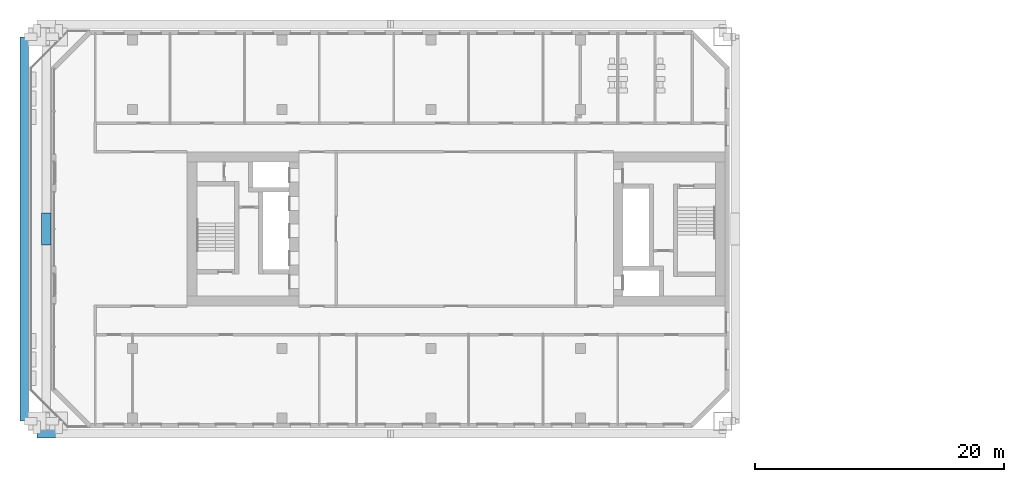
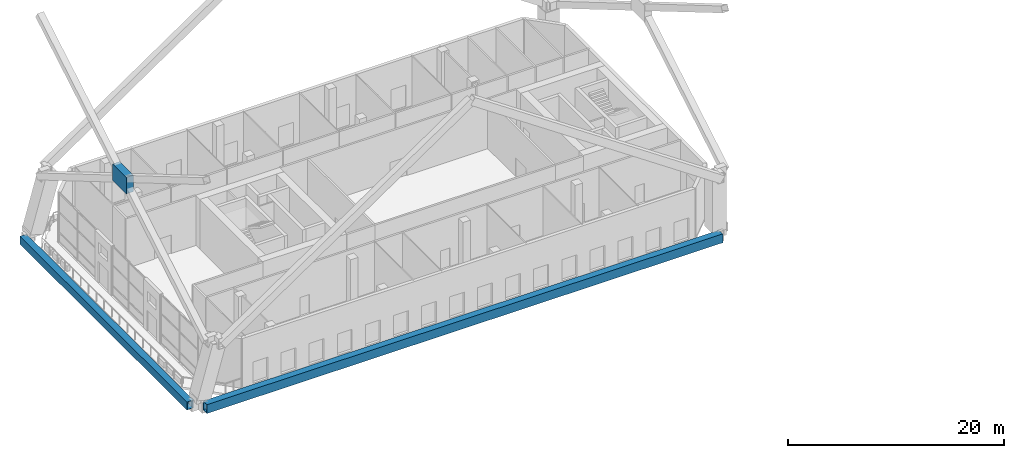
# One storey, part 3 of 20: 2 beams, 1 member.
"""IFC4 building model written with IfcOpenShell, lengths in metres."""

from ifc_helpers import new_model, si_unit, direction, frame, origin, origin_2d, place, context, subcontext, project, spatial, rectangle, hollow_rectangle, extrude, material, material_profile, profile_set, type_object, element, save


model = new_model("IFC4")

# Units and contexts
model_context = context("Model", 3, precision=1e-05, world=origin(), true_north=direction((0.0, 1.0)))
body_context = subcontext(model_context, "Body", "Model", "MODEL_VIEW")
ifc_project = project(units=[si_unit("LENGTHUNIT", "METRE"), si_unit("AREAUNIT", "SQUARE_METRE"), si_unit("VOLUMEUNIT", "CUBIC_METRE"), si_unit("PLANEANGLEUNIT", "RADIAN"), si_unit("MASSUNIT", "GRAM", prefix="KILO")], contexts=[model_context])

# Site, building, storey
site_placement = place(None, origin())
site = spatial("IfcSite", under=ifc_project, at=site_placement, CompositionType="ELEMENT")
building_placement = place(site_placement, origin())
building = spatial("IfcBuilding", under=site, at=building_placement, Name="Tuart Gate Housing", CompositionType="ELEMENT")
storey_placement = place(building_placement, frame((0.0, 0.0, 38.10009765625)))
storey = spatial("IfcBuildingStorey", under=building, at=storey_placement, Name="L10", CompositionType="ELEMENT", Elevation=38.10009765625)

# Member
ifc_material_1 = material(Name="Steel Grade 350", Category="steel")
ifc_material_profile_1 = material_profile(ifc_material_1, rectangle(XDim=2.537109375, YDim=1.864013671875, at=origin_2d()), Name="Brace node plate 2537 x 1864")
ifc_profile_set_1 = profile_set([ifc_material_profile_1], Name="Steel Grade 350")
member_type = type_object("IfcMemberType", Name="Brace node plate 2537 x 1864", PredefinedType="PLATE", material=ifc_profile_set_1)
member_placement = place(storey_placement, frame((20.6650390625, 70.0, 15.2998046875), z_axis=(1.0, 0.0, 0.0), x_axis=(0.0, 1.0, 0.0)))
element("IfcMember", 1, at=member_placement, inside=storey, type_object=member_type, Name="Brace node A zone 2 west", PredefinedType="PLATE", context=body_context, shape_type="SweptSolid", body=[
    extrude(rectangle(XDim=2.537109375, YDim=1.864013671875, at=origin_2d()), origin(), (0.0, 0.0, 1.0), 0.77001953125),
])

# Beams
ifc_material_2 = material(Name="Steel Grade 350", Category="steel")
ifc_material_profile_2 = material_profile(ifc_material_2, hollow_rectangle(XDim=0.699951171875, YDim=1.0, WallThickness=0.0439453125, at=origin_2d()), Name="BOX 1000x700x44")
ifc_profile_set_2 = profile_set([ifc_material_profile_2], Name="Steel Grade 350")
beam_type_1 = type_object("IfcBeamType", Name="Tie beam BOX 1000x700x44", PredefinedType="BEAM", material=ifc_profile_set_2)
beam_1_placement = place(storey_placement, frame((20.300048828125, 53.550048828125, -0.400146484375), z_axis=(1.0, 0.0, 0.0), x_axis=(0.0, 1.0, 0.0)))
element("IfcBeam", 2, at=beam_1_placement, inside=storey, type_object=beam_type_1, Name="Mega tie beam A node 1 south L10", PredefinedType="BEAM", context=body_context, shape_type="SweptSolid", body=[
    extrude(hollow_rectangle(XDim=0.699951171875, YDim=1.0, WallThickness=0.0439453125, at=origin_2d()), origin(), (0.0, 0.0, 1.0), 55.14990234375),
])
ifc_material_3 = material(Name="Steel Grade 350", Category="steel")
ifc_material_profile_3 = material_profile(ifc_material_3, hollow_rectangle(XDim=0.699951171875, YDim=0.89990234375, WallThickness=0.0400390625, at=origin_2d()), Name="BOX 900x700x40")
ifc_profile_set_3 = profile_set([ifc_material_profile_3], Name="Steel Grade 350")
beam_type_2 = type_object("IfcBeamType", Name="Tie beam BOX 900x700x40", PredefinedType="BEAM", material=ifc_profile_set_3)
beam_2_placement = place(storey_placement, frame((19.300048828125, 54.550048828125, -0.400146484375), z_axis=(0.0, 1.0, 0.0), x_axis=(-1.0, 0.0, 0.0)))
element("IfcBeam", 3, at=beam_2_placement, inside=storey, type_object=beam_type_2, Name="Mega tie beam A node 1 west L10", PredefinedType="BEAM", context=body_context, shape_type="SweptSolid", body=[
    extrude(hollow_rectangle(XDim=0.699951171875, YDim=0.89990234375, WallThickness=0.0400390625, at=origin_2d()), origin(), (0.0, 0.0, 1.0), 30.89990234375),
])

save(model, "model.ifc")
